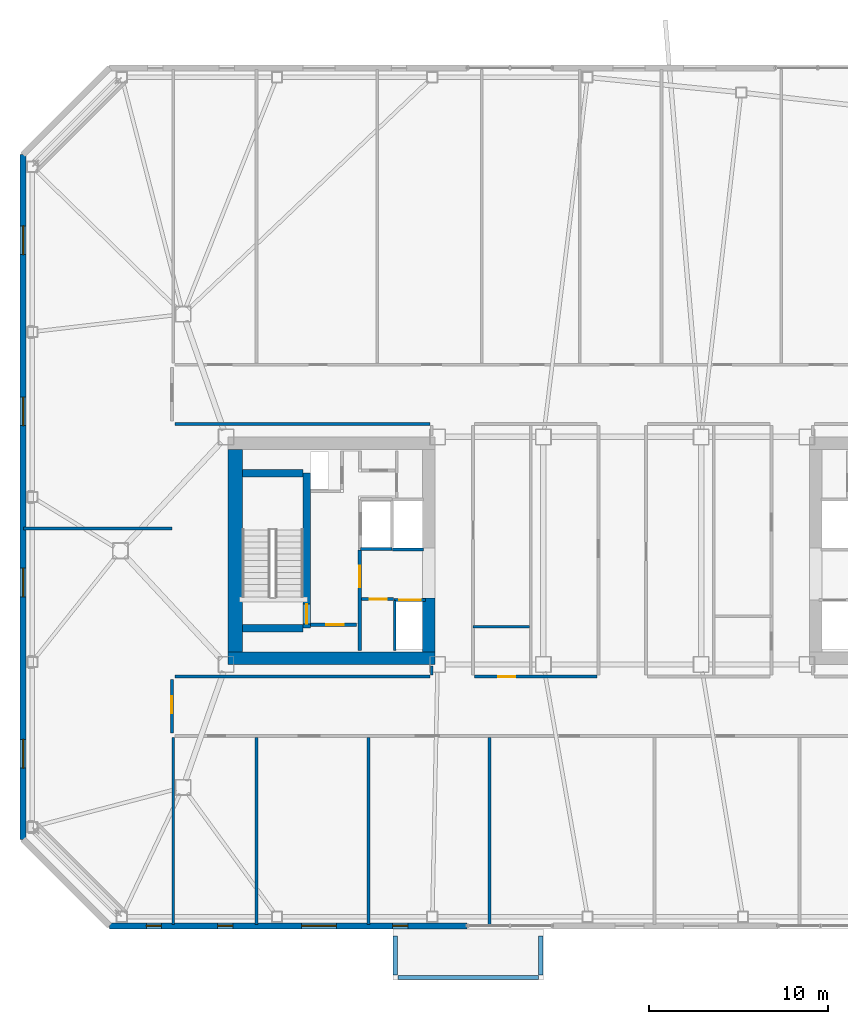
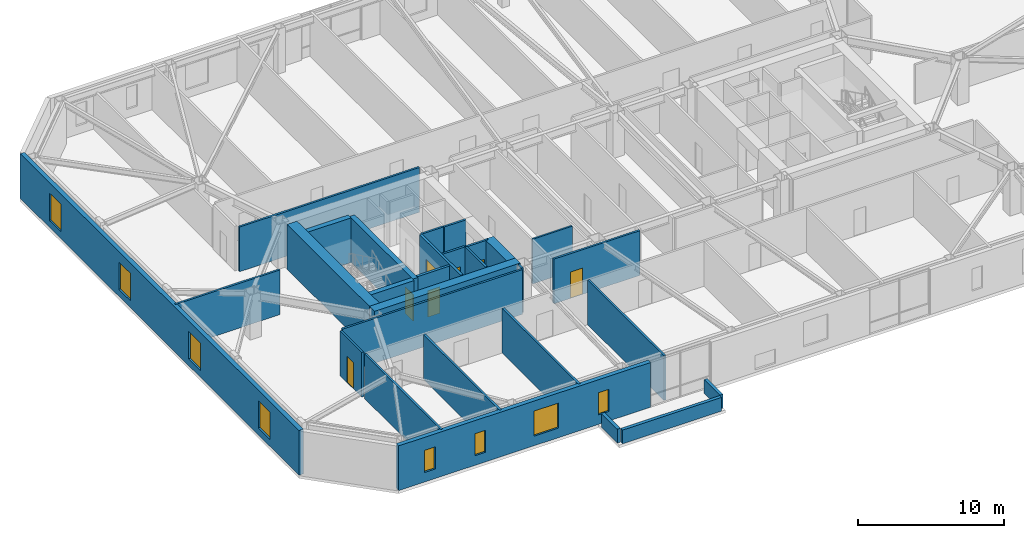
# One storey, part 10 of 18: 29 walls, 8 windows, 7 doors, 15 openings.
"""IFC4 building model written with IfcOpenShell, lengths in metres."""

from ifc_helpers import new_model, si_unit, direction, frame, frame_2d, origin, place, context, subcontext, project, spatial, rectangle, extrude, material, layer, layer_set, type_object, element, fill, save


model = new_model("IFC4")

# Units and contexts
model_context = context("Model", 3, precision=1e-05, world=origin(), true_north=direction((0.0, 1.0)))
body_context = subcontext(model_context, "Body", "Model", "MODEL_VIEW")
ifc_project = project(units=[si_unit("LENGTHUNIT", "METRE"), si_unit("AREAUNIT", "SQUARE_METRE"), si_unit("VOLUMEUNIT", "CUBIC_METRE"), si_unit("PLANEANGLEUNIT", "RADIAN"), si_unit("MASSUNIT", "GRAM", prefix="KILO")], contexts=[model_context])

# Site, building, storey
site_placement = place(None, origin())
site = spatial("IfcSite", under=ifc_project, at=site_placement, CompositionType="ELEMENT")
building_placement = place(site_placement, origin())
building = spatial("IfcBuilding", under=site, at=building_placement, Name="Tavrogorsk Clinical Tower", CompositionType="ELEMENT")
storey_placement = place(building_placement, frame((0.0, 0.0, 168.199951171875)))
storey = spatial("IfcBuildingStorey", under=building, at=storey_placement, Name="L38", CompositionType="ELEMENT", Elevation=168.199951171875)

# Wall, opening, door
ifc_material_1 = material(Name="Concrete B60", Category="concrete")
ifc_layer_1 = layer(ifc_material_1, 0.199951171875)
ifc_layer_set_1 = layer_set([ifc_layer_1], Name="Concrete B60")
wall_type_1 = type_object("IfcWallType", Name="CoreFireWall_200", PredefinedType="SOLIDWALL", material=ifc_layer_set_1)
wall_1_placement = place(storey_placement, frame((-17.3798828125, -4.139892578125, 0.0), z_axis=(0.0, 0.0, 1.0), x_axis=(1.0, 0.0, 0.0)))
wall_1 = element("IfcWall", 1, at=wall_1_placement, inside=storey, type_object=wall_type_1, Name="L38 Core West South Core Room Fire Wall", PredefinedType="SOLIDWALL", context=body_context, shape_type="SweptSolid", body=[
    extrude(rectangle(XDim=2.554931640625, YDim=0.199951171875, at=frame_2d((1.27734375, 0.0))), origin(), (0.0, 0.0, 1.0), 3.739990234375),
])
opening_1_placement = place(wall_1_placement, frame((0.8798828125, 0.0, 0.0)))
opening_1 = element("IfcOpeningElement", 2, at=opening_1_placement, cuts=wall_1, Name="Opening ID-02", PredefinedType="OPENING", context=body_context, shape_type="SweptSolid", body=[
    extrude(rectangle(XDim=0.949951171875, YDim=2.199951171875, at=frame_2d((0.47509765625, 1.10009765625))), frame((0.0, 0.10986328125, 0.0), z_axis=(0.0, -1.0, 0.0), x_axis=(1.0, 0.0, 0.0)), (0.0, 0.0, 1.0), 0.219970703125),
])
ifc_material_2 = material(Name="Laminated timber leaf on aluminium frame", Category="wood")
door_type_1 = type_object("IfcDoorType", Name="InteriorDoor_ID02_950", OperationType="NOTDEFINED", PredefinedType="DOOR", material=ifc_material_2)
door_1_placement = place(opening_1_placement, origin())
door_1 = element("IfcDoor", 3, at=door_1_placement, inside=storey, type_object=door_type_1, Name="L38 Core West South Core Room Door", OperationType="SINGLE_SWING_RIGHT", OverallHeight=2.199951171875, OverallWidth=0.949951171875, PredefinedType="DOOR", context=body_context, shape_type="SweptSolid", body=[
    extrude(rectangle(XDim=0.949951171875, YDim=2.199951171875, at=frame_2d((0.47509765625, 1.10009765625))), frame((0.0, 0.02490234375, 0.0), z_axis=(0.0, -1.0, 0.0), x_axis=(1.0, 0.0, 0.0)), (0.0, 0.0, 1.0), 0.050048828125),
])
fill(opening_1, door_1)

wall_2_placement = place(storey_placement, frame((-14.639892578125, -5.56005859375, 0.0), z_axis=(0.0, 0.0, 1.0), x_axis=(0.0, 1.0, 0.0)))
wall_2 = element("IfcWall", 4, at=wall_2_placement, inside=storey, type_object=wall_type_1, Name="L38 Core West Firefighting Lobby Fire Wall", PredefinedType="SOLIDWALL", context=body_context, shape_type="SweptSolid", body=[
    extrude(rectangle(XDim=5.60009765625, YDim=0.199951171875, at=frame_2d((2.800048828125, 0.0))), origin(), (0.0, 0.0, 1.0), 3.739990234375),
])
opening_2_placement = place(wall_2_placement, frame((3.510009765625, 0.0, 0.0)))
opening_2 = element("IfcOpeningElement", 5, at=opening_2_placement, cuts=wall_2, Name="Opening FD-01", PredefinedType="OPENING", context=body_context, shape_type="SweptSolid", body=[
    extrude(rectangle(XDim=1.199951171875, YDim=2.199951171875, at=frame_2d((0.60009765625, 1.10009765625))), frame((0.0, 0.10986328125, 0.0), z_axis=(0.0, -1.0, 0.0), x_axis=(1.0, 0.0, 0.0)), (0.0, 0.0, 1.0), 0.219970703125),
])
ifc_material_3 = material(Name="Galvanised steel fire-rated door assembly", Category="steel")
door_type_2 = type_object("IfcDoorType", Name="FireDoor_FD01_1200", OperationType="NOTDEFINED", PredefinedType="DOOR", material=ifc_material_3)
door_2_placement = place(opening_2_placement, origin())
door_2 = element("IfcDoor", 6, at=door_2_placement, inside=storey, type_object=door_type_2, Name="L38 Core West Firefighting Lobby Entry Door", OperationType="SINGLE_SWING_RIGHT", OverallHeight=2.199951171875, OverallWidth=1.199951171875, PredefinedType="DOOR", context=body_context, shape_type="SweptSolid", body=[
    extrude(rectangle(XDim=1.199951171875, YDim=2.199951171875, at=frame_2d((0.60009765625, 1.10009765625))), frame((0.0, 0.02490234375, 0.0), z_axis=(0.0, -1.0, 0.0), x_axis=(1.0, 0.0, 0.0)), (0.0, 0.0, 1.0), 0.050048828125),
])
fill(opening_2, door_2)

# Wall
ifc_material_4 = material(Name="Lightweight concrete blockwork B15", Category="masonry")
ifc_layer_2 = layer(ifc_material_4, 0.139892578125)
ifc_layer_set_2 = layer_set([ifc_layer_2], Name="Lightweight concrete blockwork B15")
wall_type_2 = type_object("IfcWallType", Name="PartitionWall_140", PredefinedType="PARTITIONING", material=ifc_layer_set_2)
wall_3_placement = place(storey_placement, frame((-8.31494140625, -4.25, 0.0), z_axis=(0.0, 0.0, 1.0), x_axis=(1.0, 0.0, 0.0)))
element("IfcWall", 7, at=wall_3_placement, inside=storey, type_object=wall_type_2, Name="L38 Central Spine Partition 3", PredefinedType="PARTITIONING", context=body_context, shape_type="SweptSolid", body=[
    extrude(rectangle(XDim=3.139892578125, YDim=0.139892578125, at=frame_2d((1.56982421875, 0.0))), origin(), (0.0, 0.0, 1.0), 3.739990234375),
])

# Wall, opening, door
ifc_material_5 = material(Name="Lightweight concrete blockwork B15", Category="masonry")
ifc_layer_3 = layer(ifc_material_5, 0.159912109375)
ifc_layer_set_3 = layer_set([ifc_layer_3], Name="Lightweight concrete blockwork B15")
wall_type_3 = type_object("IfcWallType", Name="PartitionWall_160", PredefinedType="PARTITIONING", material=ifc_layer_set_3)
wall_4_placement = place(storey_placement, frame((-14.534912109375, -2.699951171875, 0.0), z_axis=(0.0, 0.0, 1.0), x_axis=(1.0, 0.0, 0.0)))
wall_4 = element("IfcWall", 8, at=wall_4_placement, inside=storey, type_object=wall_type_3, Name="L38 Core West Freed Low-Bank North Partition", PredefinedType="PARTITIONING", context=body_context, shape_type="SweptSolid", body=[
    extrude(rectangle(XDim=1.760009765625, YDim=0.159912109375, at=frame_2d((0.8798828125, 0.0))), origin(), (0.0, 0.0, 1.0), 3.739990234375),
])
opening_3_placement = place(wall_4_placement, frame((0.449951171875, 0.0, 0.0)))
opening_3 = element("IfcOpeningElement", 9, at=opening_3_placement, cuts=wall_4, Name="Opening ID-02", PredefinedType="OPENING", context=body_context, shape_type="SweptSolid", body=[
    extrude(rectangle(XDim=0.949951171875, YDim=2.199951171875, at=frame_2d((0.47509765625, 1.10009765625))), frame((0.0, 0.08984375, 0.0), z_axis=(0.0, -1.0, 0.0), x_axis=(1.0, 0.0, 0.0)), (0.0, 0.0, 1.0), 0.179931640625),
])
door_3_placement = place(opening_3_placement, origin())
door_3 = element("IfcDoor", 10, at=door_3_placement, inside=storey, type_object=door_type_1, Name="L38 Core West Biomedical Alcove Door", OperationType="SINGLE_SWING_LEFT", OverallHeight=2.199951171875, OverallWidth=0.949951171875, PredefinedType="DOOR", context=body_context, shape_type="SweptSolid", body=[
    extrude(rectangle(XDim=0.949951171875, YDim=2.199951171875, at=frame_2d((0.47509765625, 1.10009765625))), frame((0.0, 0.02490234375, 0.0), z_axis=(0.0, -1.0, 0.0), x_axis=(1.0, 0.0, 0.0)), (0.0, 0.0, 1.0), 0.050048828125),
])
fill(opening_3, door_3)

wall_5_placement = place(storey_placement, frame((-25.1298828125, -10.1650390625, 0.0), z_axis=(0.0, 0.0, 1.0), x_axis=(0.0, 1.0, 0.0)))
wall_5 = element("IfcWall", 11, at=wall_5_placement, inside=storey, type_object=wall_type_3, Name="L38 Corridor Partition 01", PredefinedType="PARTITIONING", context=body_context, shape_type="SweptSolid", body=[
    extrude(rectangle(XDim=2.97998046875, YDim=0.159912109375, at=frame_2d((1.489990234375, 0.0))), origin(), (0.0, 0.0, 1.0), 3.739990234375),
])
opening_4_placement = place(wall_5_placement, frame((1.10009765625, 0.0, 0.0)))
opening_4 = element("IfcOpeningElement", 12, at=opening_4_placement, cuts=wall_5, Name="Opening ID-02", PredefinedType="OPENING", context=body_context, shape_type="SweptSolid", body=[
    extrude(rectangle(XDim=0.949951171875, YDim=2.199951171875, at=frame_2d((0.47509765625, 1.10009765625))), frame((0.0, 0.08984375, 0.0), z_axis=(0.0, -1.0, 0.0), x_axis=(1.0, 0.0, 0.0)), (0.0, 0.0, 1.0), 0.179931640625),
])
door_4_placement = place(opening_4_placement, origin())
door_4 = element("IfcDoor", 13, at=door_4_placement, inside=storey, type_object=door_type_1, Name="L38 W Solarium Day Room & Lounge 1 Door", OperationType="SINGLE_SWING_LEFT", OverallHeight=2.199951171875, OverallWidth=0.949951171875, PredefinedType="DOOR", context=body_context, shape_type="SweptSolid", body=[
    extrude(rectangle(XDim=0.949951171875, YDim=2.199951171875, at=frame_2d((0.47509765625, 1.10009765625))), frame((0.0, 0.02490234375, 0.0), z_axis=(0.0, -1.0, 0.0), x_axis=(1.0, 0.0, 0.0)), (0.0, 0.0, 1.0), 0.050048828125),
])
fill(opening_4, door_4)

# Walls
wall_6_placement = place(storey_placement, frame((-24.965087890625, -7.02001953125, 0.0), z_axis=(0.0, 0.0, 1.0), x_axis=(1.0, 0.0, 0.0)))
element("IfcWall", 14, at=wall_6_placement, inside=storey, type_object=wall_type_3, Name="L38 Corridor Partition 02", PredefinedType="PARTITIONING", context=body_context, shape_type="SweptSolid", body=[
    extrude(rectangle(XDim=14.25, YDim=0.159912109375, at=frame_2d((7.125, 0.0))), origin(), (0.0, 0.0, 1.0), 3.739990234375),
])
wall_7_placement = place(storey_placement, frame((-10.6298828125, -6.93505859375, 0.0), z_axis=(0.0, 0.0, 1.0), x_axis=(0.0, 1.0, 0.0)))
element("IfcWall", 15, at=wall_7_placement, inside=storey, type_object=wall_type_3, Name="L38 Corridor Partition 03", PredefinedType="PARTITIONING", context=body_context, shape_type="SweptSolid", body=[
    extrude(rectangle(XDim=0.51513671875, YDim=0.159912109375, at=frame_2d((0.257568359375, 0.0))), origin(), (0.0, 0.0, 1.0), 3.739990234375),
])
wall_8_placement = place(storey_placement, frame((-10.715087890625, 7.070068359375, 0.0), z_axis=(0.0, 0.0, 1.0), x_axis=(-1.0, 0.0, 0.0)))
element("IfcWall", 16, at=wall_8_placement, inside=storey, type_object=wall_type_3, Name="L38 Corridor Partition 05", PredefinedType="PARTITIONING", context=body_context, shape_type="SweptSolid", body=[
    extrude(rectangle(XDim=14.25, YDim=0.159912109375, at=frame_2d((7.125, 0.0))), origin(), (0.0, 0.0, 1.0), 3.739990234375),
])

# Wall, opening, door
wall_9_placement = place(storey_placement, frame((-8.235107421875, -7.02001953125, 0.0), z_axis=(0.0, 0.0, 1.0), x_axis=(1.0, 0.0, 0.0)))
wall_9 = element("IfcWall", 17, at=wall_9_placement, inside=storey, type_object=wall_type_3, Name="L38 Corridor Partition 22", PredefinedType="PARTITIONING", context=body_context, shape_type="SweptSolid", body=[
    extrude(rectangle(XDim=6.820068359375, YDim=0.159912109375, at=frame_2d((3.41015625, 0.0))), origin(), (0.0, 0.0, 1.0), 3.739990234375),
])
opening_5_placement = place(wall_9_placement, frame((1.3291015625, 0.0, 0.0)))
opening_5 = element("IfcOpeningElement", 18, at=opening_5_placement, cuts=wall_9, Name="Opening ID-02", PredefinedType="OPENING", context=body_context, shape_type="SweptSolid", body=[
    extrude(rectangle(XDim=0.949951171875, YDim=2.199951171875, at=frame_2d((0.47509765625, 1.10009765625))), frame((0.0, 0.08984375, 0.0), z_axis=(0.0, -1.0, 0.0), x_axis=(1.0, 0.0, 0.0)), (0.0, 0.0, 1.0), 0.179931640625),
])
door_5_placement = place(opening_5_placement, origin())
door_5 = element("IfcDoor", 19, at=door_5_placement, inside=storey, type_object=door_type_1, Name="L38 Accessible Patient Lavatory Door", OperationType="SINGLE_SWING_LEFT", OverallHeight=2.199951171875, OverallWidth=0.949951171875, PredefinedType="DOOR", context=body_context, shape_type="SweptSolid", body=[
    extrude(rectangle(XDim=0.949951171875, YDim=2.199951171875, at=frame_2d((0.47509765625, 1.10009765625))), frame((0.0, 0.02490234375, 0.0), z_axis=(0.0, -1.0, 0.0), x_axis=(1.0, 0.0, 0.0)), (0.0, 0.0, 1.0), 0.050048828125),
])
fill(opening_5, door_5)

# Walls
for number, where, z_axis, x_axis, name in (
    (20, (-25.050048828125, -20.860107421875, 0.0), (0.0, 0.0, 1.0), (0.0, 1.0, 0.0), "L38 SW Wing Closure Partition"),
    (21, (-20.39990234375, -20.860107421875, 0.0), (0.0, 0.0, 1.0), (0.0, 1.0, 0.0), "L38 South Room Partition 1"),
    (22, (-14.159912109375, -20.860107421875, 0.0), (0.0, 0.0, 1.0), (0.0, 1.0, 0.0), "L38 South Room Partition 2"),
    (23, (-7.39990234375, -20.860107421875, 0.0), (0.0, 0.0, 1.0), (0.0, 1.0, 0.0), "L38 South Room Partition 3"),
):
    element("IfcWall", number, at=place(storey_placement, frame(where, z_axis=z_axis, x_axis=x_axis)), inside=storey, type_object=wall_type_3, Name=name, PredefinedType="PARTITIONING", context=body_context, shape_type="SweptSolid", body=[
        extrude(rectangle(XDim=10.445068359375, YDim=0.159912109375, at=frame_2d((5.22265625, 0.0))), origin(), (0.0, 0.0, 1.0), 3.739990234375),
    ])
wall_10_placement = place(storey_placement, frame((-33.409912109375, 1.25, 0.0), z_axis=(0.0, 0.0, 1.0), x_axis=(1.0, 0.0, 0.0)))
element("IfcWall", 24, at=wall_10_placement, inside=storey, type_object=wall_type_3, Name="L38 W Wing Divider 1", PredefinedType="PARTITIONING", context=body_context, shape_type="SweptSolid", body=[
    extrude(rectangle(XDim=8.280029296875, YDim=0.159912109375, at=frame_2d((4.14013671875, 0.0))), origin(), (0.0, 0.0, 1.0), 3.739990234375),
])

# Wall, openings, windows
ifc_material_6 = material(Name="Precast concrete B45 with limestone cladding", Category="masonry")
ifc_layer_4 = layer(ifc_material_6, 0.340087890625)
ifc_layer_set_4 = layer_set([ifc_layer_4], Name="Precast concrete B45 with limestone cladding")
wall_type_4 = type_object("IfcWallType", Name="PrecastLimestoneWall_340", PredefinedType="STANDARD", material=ifc_layer_set_4)
wall_11_placement = place(storey_placement, frame((-28.60009765625, -20.929931640625, 0.0), z_axis=(0.0, 0.0, 1.0), x_axis=(1.0, 0.0, 0.0)))
wall_11 = element("IfcWall", 25, at=wall_11_placement, inside=storey, type_object=wall_type_4, Name="L38 S Limestone Facade Wall 1", PredefinedType="STANDARD", context=body_context, shape_type="SweptSolid", body=[
    extrude(rectangle(XDim=19.937255859375, YDim=0.340087890625, at=frame_2d((9.96875, 0.0))), origin(), (0.0, 0.0, 1.0), 3.739990234375),
])
opening_6_placement = place(wall_11_placement, frame((2.0439453125, 0.0, 0.800048828125)))
opening_6 = element("IfcOpeningElement", 26, at=opening_6_placement, cuts=wall_11, Name="Opening WN-06", PredefinedType="OPENING", context=body_context, shape_type="SweptSolid", body=[
    extrude(rectangle(XDim=0.85009765625, YDim=1.85009765625, at=frame_2d((0.425048828125, 0.925048828125))), frame((0.0, 0.179931640625, 0.0), z_axis=(0.0, -1.0, 0.0), x_axis=(1.0, 0.0, 0.0)), (0.0, 0.0, 1.0), 0.360107421875),
])
opening_7_placement = place(wall_11_placement, frame((6.02880859375, 0.0, 0.800048828125)))
opening_7 = element("IfcOpeningElement", 27, at=opening_7_placement, cuts=wall_11, Name="Opening WN-06", PredefinedType="OPENING", context=body_context, shape_type="SweptSolid", body=[
    extrude(rectangle(XDim=0.85009765625, YDim=1.85009765625, at=frame_2d((0.425048828125, 0.925048828125))), frame((0.0, 0.179931640625, 0.0), z_axis=(0.0, -1.0, 0.0), x_axis=(1.0, 0.0, 0.0)), (0.0, 0.0, 1.0), 0.360107421875),
])
opening_8_placement = place(wall_11_placement, frame((10.706787109375, 0.0, 0.800048828125)))
opening_8 = element("IfcOpeningElement", 28, at=opening_8_placement, cuts=wall_11, Name="Opening WN-13", PredefinedType="OPENING", context=body_context, shape_type="SweptSolid", body=[
    extrude(rectangle(XDim=1.949951171875, YDim=2.10009765625, at=frame_2d((0.97509765625, 1.050048828125))), frame((0.0, 0.179931640625, 0.0), z_axis=(0.0, -1.0, 0.0), x_axis=(1.0, 0.0, 0.0)), (0.0, 0.0, 1.0), 0.360107421875),
])
opening_9_placement = place(wall_11_placement, frame((15.791748046875, 0.0, 0.800048828125)))
opening_9 = element("IfcOpeningElement", 29, at=opening_9_placement, cuts=wall_11, Name="Opening WN-06", PredefinedType="OPENING", context=body_context, shape_type="SweptSolid", body=[
    extrude(rectangle(XDim=0.85009765625, YDim=1.85009765625, at=frame_2d((0.425048828125, 0.925048828125))), frame((0.0, 0.179931640625, 0.0), z_axis=(0.0, -1.0, 0.0), x_axis=(1.0, 0.0, 0.0)), (0.0, 0.0, 1.0), 0.360107421875),
])
ifc_material_7 = material(Name="Thermally broken aluminium frame and triple IGU", Category="aluminium")
window_type_1 = type_object("IfcWindowType", Name="ExamRoomWin_1950x2100", PartitioningType="DOUBLE_PANEL_VERTICAL", PredefinedType="WINDOW", material=ifc_material_7)
window_1_placement = place(opening_8_placement, origin())
window_1 = element("IfcWindow", 30, at=window_1_placement, inside=storey, type_object=window_type_1, Name="L38 S Chicago Window 03", OverallHeight=2.10009765625, OverallWidth=1.949951171875, PartitioningType="SINGLE_PANEL", PredefinedType="WINDOW", context=body_context, shape_type="SweptSolid", body=[
    extrude(rectangle(XDim=1.949951171875, YDim=2.10009765625, at=frame_2d((0.97509765625, 1.050048828125))), frame((0.0, 0.030029296875, 0.0), z_axis=(0.0, -1.0, 0.0), x_axis=(1.0, 0.0, 0.0)), (0.0, 0.0, 1.0), 0.06005859375),
])
fill(opening_8, window_1)
ifc_material_8 = material(Name="Thermally broken aluminium frame and triple IGU", Category="aluminium")
window_type_2 = type_object("IfcWindowType", Name="MullionSubWin_850x1850", PartitioningType="SINGLE_PANEL", PredefinedType="WINDOW", material=ifc_material_8)
window_2_placement = place(opening_6_placement, origin())
window_2 = element("IfcWindow", 31, at=window_2_placement, inside=storey, type_object=window_type_2, Name="L38 S Mullion Split Window 01A", OverallHeight=1.85009765625, OverallWidth=0.85009765625, PartitioningType="SINGLE_PANEL", PredefinedType="WINDOW", context=body_context, shape_type="SweptSolid", body=[
    extrude(rectangle(XDim=0.85009765625, YDim=1.85009765625, at=frame_2d((0.425048828125, 0.925048828125))), frame((0.0, 0.030029296875, 0.0), z_axis=(0.0, -1.0, 0.0), x_axis=(1.0, 0.0, 0.0)), (0.0, 0.0, 1.0), 0.06005859375),
])
fill(opening_6, window_2)
window_3_placement = place(opening_7_placement, origin())
window_3 = element("IfcWindow", 32, at=window_3_placement, inside=storey, type_object=window_type_2, Name="L38 S Mullion Split Window 02A", OverallHeight=1.85009765625, OverallWidth=0.85009765625, PartitioningType="SINGLE_PANEL", PredefinedType="WINDOW", context=body_context, shape_type="SweptSolid", body=[
    extrude(rectangle(XDim=0.85009765625, YDim=1.85009765625, at=frame_2d((0.425048828125, 0.925048828125))), frame((0.0, 0.030029296875, 0.0), z_axis=(0.0, -1.0, 0.0), x_axis=(1.0, 0.0, 0.0)), (0.0, 0.0, 1.0), 0.06005859375),
])
fill(opening_7, window_3)
window_4_placement = place(opening_9_placement, origin())
window_4 = element("IfcWindow", 33, at=window_4_placement, inside=storey, type_object=window_type_2, Name="L38 S Mullion Split Window 04B", OverallHeight=1.85009765625, OverallWidth=0.85009765625, PartitioningType="SINGLE_PANEL", PredefinedType="WINDOW", context=body_context, shape_type="SweptSolid", body=[
    extrude(rectangle(XDim=0.85009765625, YDim=1.85009765625, at=frame_2d((0.425048828125, 0.925048828125))), frame((0.0, 0.030029296875, 0.0), z_axis=(0.0, -1.0, 0.0), x_axis=(1.0, 0.0, 0.0)), (0.0, 0.0, 1.0), 0.06005859375),
])
fill(opening_9, window_4)

wall_12_placement = place(storey_placement, frame((-33.429931640625, 22.10009765625, 0.0), z_axis=(0.0, 0.0, 1.0), x_axis=(0.0, -1.0, 0.0)))
wall_12 = element("IfcWall", 34, at=wall_12_placement, inside=storey, type_object=wall_type_4, Name="L38 W Pleated Limestone Wing Wall", PredefinedType="STANDARD", context=body_context, shape_type="SweptSolid", body=[
    extrude(rectangle(XDim=38.2001953125, YDim=0.340087890625, at=frame_2d((19.10009765625, 0.0))), origin(), (0.0, 0.0, 1.0), 3.739990234375),
])
opening_10_placement = place(wall_12_placement, frame((3.97509765625, 0.0, 0.580078125)))
opening_10 = element("IfcOpeningElement", 35, at=opening_10_placement, cuts=wall_12, Name="Opening WN-07", PredefinedType="OPENING", context=body_context, shape_type="SweptSolid", body=[
    extrude(rectangle(XDim=1.60009765625, YDim=2.300048828125, at=frame_2d((0.800048828125, 1.14990234375))), frame((0.0, 0.179931640625, 0.0), z_axis=(0.0, -1.0, 0.0), x_axis=(1.0, 0.0, 0.0)), (0.0, 0.0, 1.0), 0.360107421875),
])
opening_11_placement = place(wall_12_placement, frame((13.52490234375, 0.0, 0.580078125)))
opening_11 = element("IfcOpeningElement", 36, at=opening_11_placement, cuts=wall_12, Name="Opening WN-07", PredefinedType="OPENING", context=body_context, shape_type="SweptSolid", body=[
    extrude(rectangle(XDim=1.60009765625, YDim=2.300048828125, at=frame_2d((0.800048828125, 1.14990234375))), frame((0.0, 0.179931640625, 0.0), z_axis=(0.0, -1.0, 0.0), x_axis=(1.0, 0.0, 0.0)), (0.0, 0.0, 1.0), 0.360107421875),
])
opening_12_placement = place(wall_12_placement, frame((23.074951171875, 0.0, 0.580078125)))
opening_12 = element("IfcOpeningElement", 37, at=opening_12_placement, cuts=wall_12, Name="Opening WN-07", PredefinedType="OPENING", context=body_context, shape_type="SweptSolid", body=[
    extrude(rectangle(XDim=1.60009765625, YDim=2.300048828125, at=frame_2d((0.800048828125, 1.14990234375))), frame((0.0, 0.179931640625, 0.0), z_axis=(0.0, -1.0, 0.0), x_axis=(1.0, 0.0, 0.0)), (0.0, 0.0, 1.0), 0.360107421875),
])
opening_13_placement = place(wall_12_placement, frame((32.625, 0.0, 0.580078125)))
opening_13 = element("IfcOpeningElement", 38, at=opening_13_placement, cuts=wall_12, Name="Opening WN-07", PredefinedType="OPENING", context=body_context, shape_type="SweptSolid", body=[
    extrude(rectangle(XDim=1.60009765625, YDim=2.300048828125, at=frame_2d((0.800048828125, 1.14990234375))), frame((0.0, 0.179931640625, 0.0), z_axis=(0.0, -1.0, 0.0), x_axis=(1.0, 0.0, 0.0)), (0.0, 0.0, 1.0), 0.360107421875),
])
ifc_material_9 = material(Name="Thermally broken aluminium frame and triple IGU", Category="aluminium")
window_type_3 = type_object("IfcWindowType", Name="PleatSlotWin_1600x2300", PartitioningType="SINGLE_PANEL", PredefinedType="WINDOW", material=ifc_material_9)
window_5_placement = place(opening_10_placement, origin())
window_5 = element("IfcWindow", 39, at=window_5_placement, inside=storey, type_object=window_type_3, Name="L38 W Pleat Slot Window 1", OverallHeight=2.300048828125, OverallWidth=1.60009765625, PartitioningType="SINGLE_PANEL", PredefinedType="WINDOW", context=body_context, shape_type="SweptSolid", body=[
    extrude(rectangle(XDim=1.60009765625, YDim=2.300048828125, at=frame_2d((0.800048828125, 1.14990234375))), frame((0.0, 0.030029296875, 0.0), z_axis=(0.0, -1.0, 0.0), x_axis=(1.0, 0.0, 0.0)), (0.0, 0.0, 1.0), 0.06005859375),
])
fill(opening_10, window_5)
window_6_placement = place(opening_11_placement, origin())
window_6 = element("IfcWindow", 40, at=window_6_placement, inside=storey, type_object=window_type_3, Name="L38 W Pleat Slot Window 2", OverallHeight=2.300048828125, OverallWidth=1.60009765625, PartitioningType="SINGLE_PANEL", PredefinedType="WINDOW", context=body_context, shape_type="SweptSolid", body=[
    extrude(rectangle(XDim=1.60009765625, YDim=2.300048828125, at=frame_2d((0.800048828125, 1.14990234375))), frame((0.0, 0.030029296875, 0.0), z_axis=(0.0, -1.0, 0.0), x_axis=(1.0, 0.0, 0.0)), (0.0, 0.0, 1.0), 0.06005859375),
])
fill(opening_11, window_6)
window_7_placement = place(opening_12_placement, origin())
window_7 = element("IfcWindow", 41, at=window_7_placement, inside=storey, type_object=window_type_3, Name="L38 W Pleat Slot Window 3", OverallHeight=2.300048828125, OverallWidth=1.60009765625, PartitioningType="SINGLE_PANEL", PredefinedType="WINDOW", context=body_context, shape_type="SweptSolid", body=[
    extrude(rectangle(XDim=1.60009765625, YDim=2.300048828125, at=frame_2d((0.800048828125, 1.14990234375))), frame((0.0, 0.030029296875, 0.0), z_axis=(0.0, -1.0, 0.0), x_axis=(1.0, 0.0, 0.0)), (0.0, 0.0, 1.0), 0.06005859375),
])
fill(opening_12, window_7)
window_8_placement = place(opening_13_placement, origin())
window_8 = element("IfcWindow", 42, at=window_8_placement, inside=storey, type_object=window_type_3, Name="L38 W Pleat Slot Window 4", OverallHeight=2.300048828125, OverallWidth=1.60009765625, PartitioningType="SINGLE_PANEL", PredefinedType="WINDOW", context=body_context, shape_type="SweptSolid", body=[
    extrude(rectangle(XDim=1.60009765625, YDim=2.300048828125, at=frame_2d((0.800048828125, 1.14990234375))), frame((0.0, 0.030029296875, 0.0), z_axis=(0.0, -1.0, 0.0), x_axis=(1.0, 0.0, 0.0)), (0.0, 0.0, 1.0), 0.06005859375),
])
fill(opening_13, window_8)

# Walls
ifc_material_10 = material(Name="Concrete B60", Category="concrete")
ifc_layer_5 = layer(ifc_material_10, 0.25)
ifc_layer_set_5 = layer_set([ifc_layer_5], Name="Concrete B60")
wall_type_5 = type_object("IfcWallType", Name="RoofParapetWall_250", PredefinedType="PARAPET", material=ifc_layer_set_5)
wall_13_placement = place(storey_placement, frame((-12.659912109375, -21.489990234375, 0.0), z_axis=(0.0, 0.0, 1.0), x_axis=(0.0, -1.0, 0.0)))
element("IfcWall", 43, at=wall_13_placement, inside=storey, type_object=wall_type_5, Name="L38 Day-Room Roof Coping Parapet DRB-05-1", PredefinedType="PARAPET", context=body_context, shape_type="SweptSolid", body=[
    extrude(rectangle(XDim=2.179931640625, YDim=0.25, at=frame_2d((1.08984375, 0.0))), origin(), (0.0, 0.0, 1.0), 1.150146484375),
])
wall_14_placement = place(storey_placement, frame((-12.52001953125, -23.81005859375, 0.0), z_axis=(0.0, 0.0, 1.0), x_axis=(1.0, 0.0, 0.0)))
element("IfcWall", 44, at=wall_14_placement, inside=storey, type_object=wall_type_5, Name="L38 Day-Room Roof Coping Parapet DRB-05-2", PredefinedType="PARAPET", context=body_context, shape_type="SweptSolid", body=[
    extrude(rectangle(XDim=7.840087890625, YDim=0.25, at=frame_2d((3.919921875, 0.0))), origin(), (0.0, 0.0, 1.0), 1.150146484375),
])
wall_15_placement = place(storey_placement, frame((-4.5400390625, -23.669921875, 0.0), z_axis=(0.0, 0.0, 1.0), x_axis=(0.0, 1.0, 0.0)))
element("IfcWall", 45, at=wall_15_placement, inside=storey, type_object=wall_type_5, Name="L38 Day-Room Roof Coping Parapet DRB-05-3", PredefinedType="PARAPET", context=body_context, shape_type="SweptSolid", body=[
    extrude(rectangle(XDim=2.179931640625, YDim=0.25, at=frame_2d((1.08984375, 0.0))), origin(), (0.0, 0.0, 1.0), 1.150146484375),
])
ifc_material_11 = material(Name="Lightweight concrete blockwork B25", Category="masonry")
ifc_layer_6 = layer(ifc_material_11, 0.159912109375)
ifc_layer_set_6 = layer_set([ifc_layer_6], Name="Lightweight concrete blockwork B25")
wall_type_6 = type_object("IfcWallType", Name="ShaftWall_160", PredefinedType="PARTITIONING", material=ifc_layer_set_6)
wall_16_placement = place(storey_placement, frame((-14.60009765625, 0.10009765625, 0.0), z_axis=(0.0, 0.0, 1.0), x_axis=(1.0, 0.0, 0.0)))
element("IfcWall", 46, at=wall_16_placement, inside=storey, type_object=wall_type_6, Name="L38 FFL-W Shaft South Wall", PredefinedType="PARTITIONING", context=body_context, shape_type="SweptSolid", body=[
    extrude(rectangle(XDim=1.760009765625, YDim=0.159912109375, at=frame_2d((0.8798828125, 0.0))), origin(), (0.0, 0.0, 1.0), 3.739990234375),
])

# Wall, opening, door
wall_17_placement = place(storey_placement, frame((-12.72998046875, -2.75, 0.0), z_axis=(0.0, 0.0, 1.0), x_axis=(1.0, 0.0, 0.0)))
wall_17 = element("IfcWall", 47, at=wall_17_placement, inside=storey, type_object=wall_type_6, Name="L38 LP-M1 Lift Shaft Portal Wall", PredefinedType="PARTITIONING", context=body_context, shape_type="SweptSolid", body=[
    extrude(rectangle(XDim=1.760009765625, YDim=0.159912109375, at=frame_2d((0.8798828125, 0.0))), origin(), (0.0, 0.0, 1.0), 3.739990234375),
])
opening_14_placement = place(wall_17_placement, frame((0.280029296875, 0.0, 0.0)))
opening_14 = element("IfcOpeningElement", 48, at=opening_14_placement, cuts=wall_17, Name="Opening LD", PredefinedType="OPENING", context=body_context, shape_type="SweptSolid", body=[
    extrude(rectangle(XDim=1.199951171875, YDim=2.199951171875, at=frame_2d((0.60009765625, 1.10009765625))), frame((0.0, 0.08984375, 0.0), z_axis=(0.0, -1.0, 0.0), x_axis=(1.0, 0.0, 0.0)), (0.0, 0.0, 1.0), 0.179931640625),
])
ifc_material_12 = material(Name="Brushed stainless steel AISI 304 sliding doors", Category="steel")
door_type_3 = type_object("IfcDoorType", Name="LiftLandingDoor_LD_1200", OperationType="SLIDING_TO_LEFT", PredefinedType="DOOR", material=ifc_material_12)
door_6_placement = place(opening_14_placement, origin())
door_6 = element("IfcDoor", 49, at=door_6_placement, inside=storey, type_object=door_type_3, Name="L38 LP-M1 Sliding Lift Landing Door", OperationType="SLIDING_TO_LEFT", OverallHeight=2.199951171875, OverallWidth=1.199951171875, PredefinedType="DOOR", context=body_context, shape_type="SweptSolid", body=[
    extrude(rectangle(XDim=1.199951171875, YDim=2.199951171875, at=frame_2d((0.60009765625, 1.10009765625))), frame((0.0, 0.02490234375, 0.0), z_axis=(0.0, -1.0, 0.0), x_axis=(1.0, 0.0, 0.0)), (0.0, 0.0, 1.0), 0.050048828125),
])
fill(opening_14, door_6)

# Walls
wall_18_placement = place(storey_placement, frame((-12.820068359375, 0.06005859375, 0.0), z_axis=(0.0, 0.0, 1.0), x_axis=(1.0, 0.0, 0.0)))
element("IfcWall", 50, at=wall_18_placement, inside=storey, type_object=wall_type_6, Name="L38 LP-H1 High-Zone Lift Portal Wall", PredefinedType="PARTITIONING", context=body_context, shape_type="SweptSolid", body=[
    extrude(rectangle(XDim=1.719970703125, YDim=0.159912109375, at=frame_2d((0.85986328125, 0.0))), origin(), (0.0, 0.0, 1.0), 3.739990234375),
])
wall_19_placement = place(storey_placement, frame((-12.68994140625, -5.56005859375, 0.0), z_axis=(0.0, 0.0, 1.0), x_axis=(0.0, 1.0, 0.0)))
element("IfcWall", 51, at=wall_19_placement, inside=storey, type_object=wall_type_6, Name="L38 Core West Freed Low-Bank Shaft Divider", PredefinedType="PARTITIONING", context=body_context, shape_type="SweptSolid", body=[
    extrude(rectangle(XDim=2.775146484375, YDim=0.159912109375, at=frame_2d((1.3876953125, 0.0))), origin(), (0.0, 0.0, 1.0), 3.739990234375),
])

# Wall, opening, door
ifc_material_13 = material(Name="Concrete B80", Category="concrete")
ifc_layer_7 = layer(ifc_material_13, 0.39990234375)
ifc_layer_set_7 = layer_set([ifc_layer_7], Name="Concrete B80")
wall_type_7 = type_object("IfcWallType", Name="ShearWall_400", PredefinedType="SHEAR", material=ifc_layer_set_7)
wall_20_placement = place(storey_placement, frame((-17.60009765625, -4.324951171875, 0.0), z_axis=(0.0, 0.0, 1.0), x_axis=(0.0, 1.0, 0.0)))
wall_20 = element("IfcWall", 52, at=wall_20_placement, inside=storey, type_object=wall_type_7, Name="L38 Core West Stair Shaft Inner Shear Wall", PredefinedType="SHEAR", context=body_context, shape_type="SweptSolid", body=[
    extrude(rectangle(XDim=8.64990234375, YDim=0.39990234375, at=frame_2d((4.324951171875, 0.0))), origin(), (0.0, 0.0, 1.0), 3.739990234375),
])
opening_15_placement = place(wall_20_placement, frame((0.25, 0.0, 0.0)))
opening_15 = element("IfcOpeningElement", 53, at=opening_15_placement, cuts=wall_20, Name="Opening SD-01", PredefinedType="OPENING", context=body_context, shape_type="SweptSolid", body=[
    extrude(rectangle(XDim=1.10009765625, YDim=2.199951171875, at=frame_2d((0.550048828125, 1.10009765625))), frame((0.0, 0.2099609375, 0.0), z_axis=(0.0, -1.0, 0.0), x_axis=(1.0, 0.0, 0.0)), (0.0, 0.0, 1.0), 0.419921875),
])
ifc_material_14 = material(Name="Galvanised steel smoke-tight fire door assembly", Category="steel")
door_type_4 = type_object("IfcDoorType", Name="StairFireDoor_SD01_1100", OperationType="NOTDEFINED", PredefinedType="DOOR", material=ifc_material_14)
door_7_placement = place(opening_15_placement, origin())
door_7 = element("IfcDoor", 54, at=door_7_placement, inside=storey, type_object=door_type_4, Name="L38 ST-W Exit Stair Door", OperationType="SINGLE_SWING_LEFT", OverallHeight=2.199951171875, OverallWidth=1.10009765625, PredefinedType="DOOR", context=body_context, shape_type="SweptSolid", body=[
    extrude(rectangle(XDim=1.10009765625, YDim=2.199951171875, at=frame_2d((0.550048828125, 1.10009765625))), frame((0.0, 0.02490234375, 0.0), z_axis=(0.0, -1.0, 0.0), x_axis=(1.0, 0.0, 0.0)), (0.0, 0.0, 1.0), 0.050048828125),
])
fill(opening_15, door_7)

# Walls
for number, where, z_axis, x_axis, name in (
    (55, (-21.199951171875, -4.324951171875, 0.0), (0.0, 0.0, 1.0), (1.0, 0.0, 0.0), "L38 Core West Stair Shaft South Shear Wall"),
    (56, (-21.199951171875, 4.324951171875, 0.0), (0.0, 0.0, 1.0), (1.0, 0.0, 0.0), "L38 Core West Stair Shaft North Shear Wall"),
):
    element("IfcWall", number, at=place(storey_placement, frame(where, z_axis=z_axis, x_axis=x_axis)), inside=storey, type_object=wall_type_7, Name=name, PredefinedType="SHEAR", context=body_context, shape_type="SweptSolid", body=[
        extrude(rectangle(XDim=3.39990234375, YDim=0.39990234375, at=frame_2d((1.699951171875, 0.0))), origin(), (0.0, 0.0, 1.0), 3.739990234375),
    ])
ifc_material_15 = material(Name="Concrete B80", Category="concrete")
ifc_layer_8 = layer(ifc_material_15, 0.699951171875)
ifc_layer_set_8 = layer_set([ifc_layer_8], Name="Concrete B80")
wall_type_8 = type_object("IfcWallType", Name="ShearWall_700", PredefinedType="SHEAR", material=ifc_layer_set_8)
wall_21_placement = place(storey_placement, frame((-22.0, -6.0, 0.0), z_axis=(0.0, 0.0, 1.0), x_axis=(1.0, 0.0, 0.0)))
element("IfcWall", 57, at=wall_21_placement, inside=storey, type_object=wall_type_8, Name="L38 Core West South Shear Wall", PredefinedType="SHEAR", context=body_context, shape_type="SweptSolid", body=[
    extrude(rectangle(XDim=11.550048828125, YDim=0.699951171875, at=frame_2d((5.77490234375, 0.0))), origin(), (0.0, 0.0, 1.0), 3.739990234375),
])
wall_22_placement = place(storey_placement, frame((-10.800048828125, -5.64990234375, 0.0), z_axis=(0.0, 0.0, 1.0), x_axis=(0.0, 1.0, 0.0)))
element("IfcWall", 58, at=wall_22_placement, inside=storey, type_object=wall_type_8, Name="L38 Core West Inner South Pier", PredefinedType="SHEAR", context=body_context, shape_type="SweptSolid", body=[
    extrude(rectangle(XDim=3.0, YDim=0.699951171875, at=frame_2d((1.5, 0.0))), origin(), (0.0, 0.0, 1.0), 3.739990234375),
])
ifc_material_16 = material(Name="Concrete B80", Category="concrete")
ifc_layer_9 = layer(ifc_material_16, 0.800048828125)
ifc_layer_set_9 = layer_set([ifc_layer_9], Name="Concrete B80")
wall_type_9 = type_object("IfcWallType", Name="ShearWall_800", PredefinedType="SHEAR", material=ifc_layer_set_9)
wall_23_placement = place(storey_placement, frame((-21.60009765625, -5.64990234375, 0.0), z_axis=(0.0, 0.0, 1.0), x_axis=(0.0, 1.0, 0.0)))
element("IfcWall", 59, at=wall_23_placement, inside=storey, type_object=wall_type_9, Name="L38 Core West End Shear Wall", PredefinedType="SHEAR", context=body_context, shape_type="SweptSolid", body=[
    extrude(rectangle(XDim=11.2998046875, YDim=0.800048828125, at=frame_2d((5.64990234375, 0.0))), origin(), (0.0, 0.0, 1.0), 3.739990234375),
])

save(model, "model.ifc")
